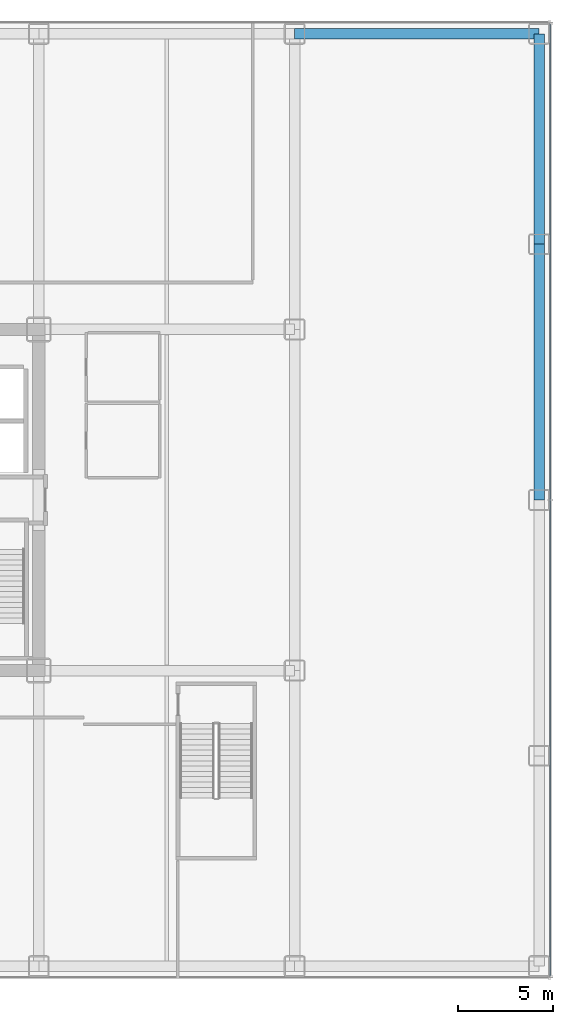
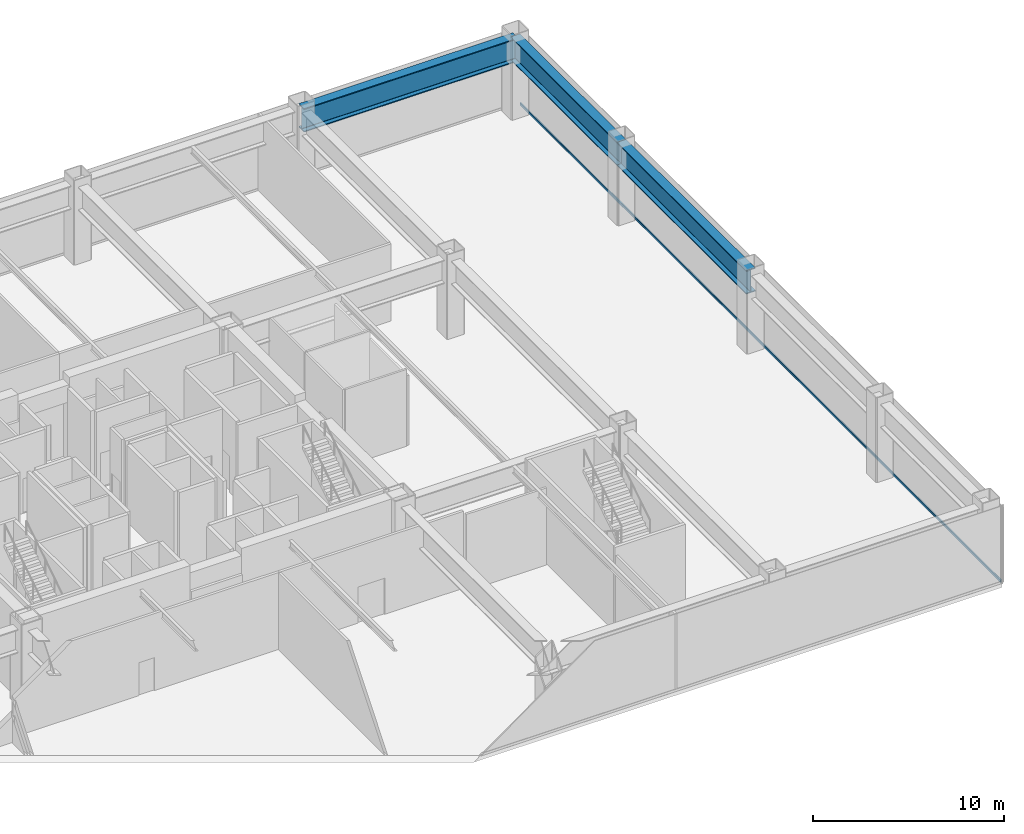
# One storey, part 14 of 24: 3 beams, 1 member, 1 element without a shape of its own.
"""IFC4 building model written with IfcOpenShell, lengths in metres."""

from ifc_helpers import new_model, si_unit, direction, frame, origin, origin_2d, place, context, subcontext, project, spatial, hollow_rectangle, i_section, extrude, source, transform, mapped, material, layer, layer_set, material_profile, profile_set, type_object, element, aggregate, save


model = new_model("IFC4")

# Units and contexts
model_context = context("Model", 3, precision=1e-05, world=origin(), true_north=direction((0.0, 1.0)))
body_context = subcontext(model_context, "Body", "Model", "MODEL_VIEW")
ifc_project = project(units=[si_unit("LENGTHUNIT", "METRE"), si_unit("AREAUNIT", "SQUARE_METRE"), si_unit("VOLUMEUNIT", "CUBIC_METRE"), si_unit("PLANEANGLEUNIT", "RADIAN"), si_unit("MASSUNIT", "GRAM", prefix="KILO")], contexts=[model_context])

# Site, building, storey
site_placement = place(None, origin())
site = spatial("IfcSite", under=ifc_project, at=site_placement, CompositionType="ELEMENT")
building_placement = place(site_placement, origin())
building = spatial("IfcBuilding", under=site, at=building_placement, Name="Nefas-Gora Pilgrimage Tower", CompositionType="ELEMENT")
storey_placement = place(building_placement, frame((0.0, 0.0, 22.199951171875)))
storey = spatial("IfcBuildingStorey", under=building, at=storey_placement, Name="L04", CompositionType="ELEMENT", Elevation=22.199951171875)

# Beams
ifc_material_1 = material(Name="Steel S460", Category="steel")
ifc_material_profile_1 = material_profile(ifc_material_1, i_section(OverallWidth=0.550048828125, OverallDepth=1.5, WebThickness=0.031982421875, FlangeThickness=0.06005859375, FilletRadius=0.02392578125, at=origin_2d()), Name="WPG 1500x550x32x60")
ifc_profile_set_1 = profile_set([ifc_material_profile_1], Name="Steel S460")
beam_type = type_object("IfcBeamType", Name="BM-TR-1500E", PredefinedType="BEAM", material=ifc_profile_set_1)
shared_shape_1 = source(origin(), body_context, "Body", "SweptSolid", [
    extrude(i_section(OverallWidth=0.550048828125, OverallDepth=1.5, WebThickness=0.031982421875, FlangeThickness=0.06005859375, FilletRadius=0.02392578125, at=origin_2d()), origin(), (0.0, 0.0, 1.0), 12.89990234375),
])
beam_1_placement = place(storey_placement, frame((24.75, 24.60009765625, 4.170166015625), z_axis=(1.0, 0.0, 0.0), x_axis=(0.0, 1.0, 0.0)))
element("IfcBeam", 1, at=beam_1_placement, inside=storey, type_object=beam_type, Name="L04 TB-01E beam", PredefinedType="BEAM", context=body_context, shape_type="MappedRepresentation", body=[
    mapped(shared_shape_1, transform((0.0, 0.0, 0.0), x_axis=(1.0, 0.0, 0.0), y_axis=(0.0, 1.0, 0.0), z_axis=(0.0, 0.0, 1.0), scale=1.0)),
])
shared_shape_2 = source(origin(), body_context, "Body", "SweptSolid", [
    extrude(i_section(OverallWidth=0.550048828125, OverallDepth=1.5, WebThickness=0.031982421875, FlangeThickness=0.06005859375, FilletRadius=0.02392578125, at=origin_2d()), origin(), (0.0, 0.0, 1.0), 13.5),
])
beam_2_placement = place(storey_placement, frame((37.64990234375, 0.0, 4.170166015625), z_axis=(0.0, 1.0, 0.0), x_axis=(-1.0, 0.0, 0.0)))
element("IfcBeam", 2, at=beam_2_placement, inside=storey, type_object=beam_type, Name="L04 TB-01E beam", PredefinedType="BEAM", context=body_context, shape_type="MappedRepresentation", body=[
    mapped(shared_shape_2, transform((0.0, 0.0, 0.0), x_axis=(1.0, 0.0, 0.0), y_axis=(0.0, 1.0, 0.0), z_axis=(0.0, 0.0, 1.0), scale=1.0)),
])
shared_shape_3 = source(origin(), body_context, "Body", "SweptSolid", [
    extrude(i_section(OverallWidth=0.550048828125, OverallDepth=1.5, WebThickness=0.031982421875, FlangeThickness=0.06005859375, FilletRadius=0.02392578125, at=origin_2d()), origin(), (0.0, 0.0, 1.0), 11.10009765625),
])
beam_3_placement = place(storey_placement, frame((37.64990234375, 13.5, 4.170166015625), z_axis=(0.0, 1.0, 0.0), x_axis=(-1.0, 0.0, 0.0)))
element("IfcBeam", 3, at=beam_3_placement, inside=storey, type_object=beam_type, Name="L04 TB-01E beam", PredefinedType="BEAM", context=body_context, shape_type="MappedRepresentation", body=[
    mapped(shared_shape_3, transform((0.0, 0.0, 0.0), x_axis=(1.0, 0.0, 0.0), y_axis=(0.0, 1.0, 0.0), z_axis=(0.0, 0.0, 1.0), scale=1.0)),
])

# Curtain wall, member
ifc_material_2 = material(Name="Dark ceramic-fritted solar-control aluminium-glass curtain wall", Category="aluminium")
ifc_layer = layer(ifc_material_2, 0.219970703125)
ifc_layer_set = layer_set([ifc_layer], Name="Dark ceramic-fritted solar-control aluminium-glass curtain wall")
curtain_wall_type = type_object("IfcCurtainWallType", Name="CW-SYS-1", PredefinedType="NOTDEFINED", material=ifc_layer_set)
curtain_wall_placement = place(storey_placement, origin())
curtain_wall = element("IfcCurtainWall", 4, at=curtain_wall_placement, inside=storey, type_object=curtain_wall_type, Name="L04 Unitised Curtain Wall CW1", PredefinedType="NOTDEFINED")
ifc_material_3 = material(Name="Anodised architectural aluminium", Category="aluminium")
ifc_material_profile_2 = material_profile(ifc_material_3, hollow_rectangle(XDim=0.080078125, YDim=0.159912109375, WallThickness=0.00439453125, InnerFilletRadius=0.00439453125, OuterFilletRadius=0.009033203125, at=origin_2d()), Name="ALU TRANSOM 80x160")
ifc_profile_set_2 = profile_set([ifc_material_profile_2], Name="Anodised architectural aluminium")
member_type = type_object("IfcMemberType", Name="CWM-TRN-1", PredefinedType="USERDEFINED", material=ifc_profile_set_2)
shared_shape_4 = source(origin(), body_context, "Body", "SweptSolid", [
    extrude(hollow_rectangle(XDim=0.080078125, YDim=0.159912109375, WallThickness=0.00439453125, InnerFilletRadius=0.00439453125, OuterFilletRadius=0.009033203125, at=origin_2d()), origin(), (0.0, 0.0, 1.0), 50.22021484375),
])
member_placement = place(storey_placement, frame((38.25, -25.110107421875, 0.050048828125), z_axis=(0.0, 1.0, 0.0), x_axis=(-1.0, 0.0, 0.0)))
member = element("IfcMember", 5, at=member_placement, type_object=member_type, Name="CW1 Spandrel Transom", ObjectType="TRANSOM", PredefinedType="USERDEFINED", context=body_context, shape_type="MappedRepresentation", body=[
    mapped(shared_shape_4, transform((0.0, 0.0, 0.0), x_axis=(1.0, 0.0, 0.0), y_axis=(0.0, 1.0, 0.0), z_axis=(0.0, 0.0, 1.0), scale=1.0)),
])
aggregate(curtain_wall, [member])

save(model, "model.ifc")
